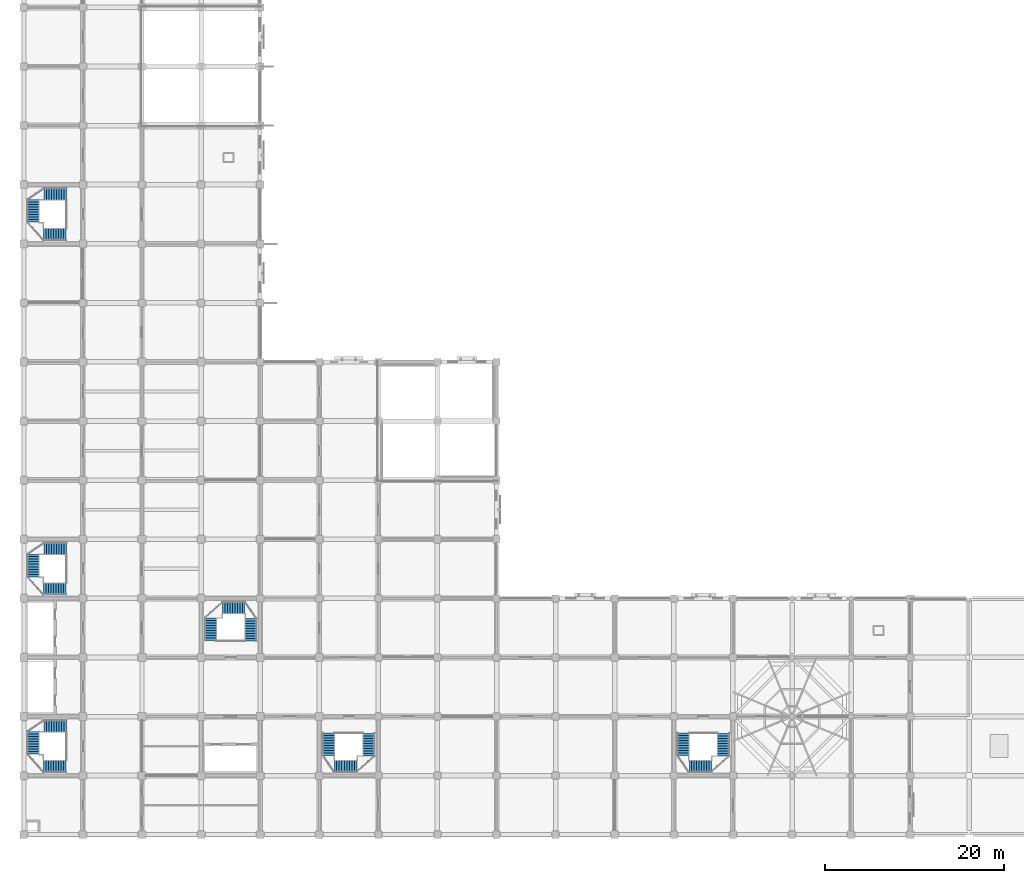
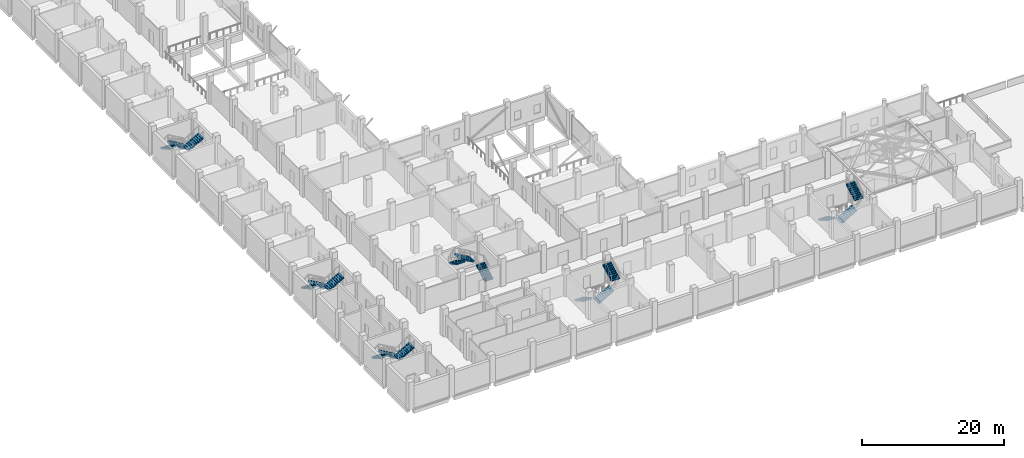
# One storey, part 26 of 34: 18 stair flights, 6 elements without a shape of their own.
"""IFC4 building model written with IfcOpenShell, lengths in metres."""

from ifc_helpers import new_model, si_unit, direction, frame, origin, place, context, subcontext, project, spatial, polyline, outline, extrude, material, type_object, element, aggregate, save


model = new_model("IFC4")

# Units and contexts
model_context = context("Model", 3, precision=1e-05, world=origin(), true_north=direction((0.0, 1.0)))
body_context = subcontext(model_context, "Body", "Model", "MODEL_VIEW")
ifc_project = project(units=[si_unit("LENGTHUNIT", "METRE"), si_unit("AREAUNIT", "SQUARE_METRE"), si_unit("VOLUMEUNIT", "CUBIC_METRE"), si_unit("PLANEANGLEUNIT", "RADIAN"), si_unit("MASSUNIT", "GRAM", prefix="KILO")], contexts=[model_context])

# Site, building, storey
site_placement = place(None, origin())
site = spatial("IfcSite", under=ifc_project, at=site_placement, CompositionType="ELEMENT")
building_placement = place(site_placement, origin())
building = spatial("IfcBuilding", under=site, at=building_placement, Name="Rusizi Kubbe Research Institute", CompositionType="ELEMENT")
storey_placement = place(building_placement, frame((0.0, 0.0, 5.39990234375)))
storey = spatial("IfcBuildingStorey", under=building, at=storey_placement, Name="L01", CompositionType="ELEMENT", Elevation=5.39990234375)

# Stair, stair flights
ifc_material_1 = material(Name="Concrete C40/50", Category="concrete")
stair_type = type_object("IfcStairType", Name="ST-H480", PredefinedType="THREE_QUARTER_TURN_STAIR", material=ifc_material_1)
stair_1_placement = place(storey_placement, origin())
stair_1 = element("IfcStair", 1, at=stair_1_placement, inside=storey, type_object=stair_type, Name="Protected Exit Stair ST1 (L01)", PredefinedType="THREE_QUARTER_TURN_STAIR")
ifc_material_2 = material(Name="Concrete C40/50", Category="concrete")
stair_flight_type = type_object("IfcStairFlightType", Name="FL-H480", PredefinedType="STRAIGHT", material=ifc_material_2)
stair_flight_1_placement = place(storey_placement, frame((4.780029296875, 12.14990234375, 0.0), z_axis=(0.0, 0.0, 1.0), x_axis=(-1.0, 0.0, 0.0)))
stair_flight_1 = element("IfcStairFlight", 2, at=stair_flight_1_placement, type_object=stair_flight_type, Name="ST1 flight 1", NumberOfRisers=10, NumberOfTreads=9, PredefinedType="STRAIGHT", RiserHeight=0.16, TreadLength=0.28, context=body_context, shape_type="SweptSolid", body=[
    extrude(outline(polyline([(0.0, 0.0), (0.0, 0.159912109375), (0.280029296875, 0.159912109375), (0.280029296875, 0.320068359375), (0.56005859375, 0.320068359375), (0.56005859375, 0.47998046875), (0.840087890625, 0.47998046875), (0.840087890625, 0.639892578125), (1.1201171875, 0.639892578125), (1.1201171875, 0.800048828125), (1.39990234375, 0.800048828125), (1.39990234375, 0.9599609375), (1.679931640625, 0.9599609375), (1.679931640625, 1.1201171875), (1.9599609375, 1.1201171875), (1.9599609375, 1.280029296875), (2.239990234375, 1.280029296875), (2.239990234375, 1.43994140625), (2.52001953125, 1.43994140625), (2.52001953125, 1.60009765625), (2.52001953125, 1.255859375), (0.322265625, 0.0), (0.0, 0.0)])), frame((0.0, 0.699951171875, 0.0), z_axis=(0.0, -1.0, 0.0), x_axis=(1.0, 0.0, 0.0)), (0.0, 0.0, 1.0), 1.39990234375),
])
stair_flight_2_placement = place(storey_placement, frame((1.050048828125, 11.530029296875, 1.60009765625), z_axis=(0.0, 0.0, 1.0), x_axis=(0.0, -1.0, 0.0)))
stair_flight_2 = element("IfcStairFlight", 3, at=stair_flight_2_placement, type_object=stair_flight_type, Name="ST1 flight 2", NumberOfRisers=10, NumberOfTreads=9, PredefinedType="STRAIGHT", RiserHeight=0.16, TreadLength=0.28, context=body_context, shape_type="SweptSolid", body=[
    extrude(outline(polyline([(0.0, 0.0), (0.0, 0.159912109375), (0.280029296875, 0.159912109375), (0.280029296875, 0.320068359375), (0.56005859375, 0.320068359375), (0.56005859375, 0.47998046875), (0.840087890625, 0.47998046875), (0.840087890625, 0.639892578125), (1.1201171875, 0.639892578125), (1.1201171875, 0.800048828125), (1.39990234375, 0.800048828125), (1.39990234375, 0.9599609375), (1.679931640625, 0.9599609375), (1.679931640625, 1.1201171875), (1.9599609375, 1.1201171875), (1.9599609375, 1.280029296875), (2.239990234375, 1.280029296875), (2.239990234375, 1.43994140625), (2.52001953125, 1.43994140625), (2.52001953125, 1.60009765625), (2.52001953125, 1.255859375), (0.322265625, 0.0), (0.0, 0.0)])), frame((0.0, 0.699951171875, 0.0), z_axis=(0.0, -1.0, 0.0), x_axis=(1.0, 0.0, 0.0)), (0.0, 0.0, 1.0), 1.39990234375),
])
stair_flight_3_placement = place(storey_placement, frame((2.18603515625, 7.64990234375, 3.2001953125), z_axis=(0.0, 0.0, 1.0), x_axis=(1.0, 0.0, 0.0)))
stair_flight_3 = element("IfcStairFlight", 4, at=stair_flight_3_placement, type_object=stair_flight_type, Name="ST1 flight 3", NumberOfRisers=10, NumberOfTreads=9, PredefinedType="STRAIGHT", RiserHeight=0.16, TreadLength=0.28, context=body_context, shape_type="SweptSolid", body=[
    extrude(outline(polyline([(0.0, 0.0), (0.0, 0.159912109375), (0.280029296875, 0.159912109375), (0.280029296875, 0.320068359375), (0.56005859375, 0.320068359375), (0.56005859375, 0.47998046875), (0.840087890625, 0.47998046875), (0.840087890625, 0.639892578125), (1.1201171875, 0.639892578125), (1.1201171875, 0.800048828125), (1.39990234375, 0.800048828125), (1.39990234375, 0.9599609375), (1.679931640625, 0.9599609375), (1.679931640625, 1.1201171875), (1.9599609375, 1.1201171875), (1.9599609375, 1.280029296875), (2.239990234375, 1.280029296875), (2.239990234375, 1.43994140625), (2.52001953125, 1.43994140625), (2.52001953125, 1.60009765625), (2.52001953125, 1.255859375), (0.322265625, 0.0), (0.0, 0.0)])), frame((0.0, 0.699951171875, 0.0), z_axis=(0.0, -1.0, 0.0), x_axis=(1.0, 0.0, 0.0)), (0.0, 0.0, 1.0), 1.39990234375),
])
aggregate(stair_1, [stair_flight_1, stair_flight_2, stair_flight_3])

stair_2_placement = place(storey_placement, origin())
stair_2 = element("IfcStair", 5, at=stair_2_placement, inside=storey, type_object=stair_type, Name="Protected Exit Stair ST2 (L01)", PredefinedType="THREE_QUARTER_TURN_STAIR")
stair_flight_4_placement = place(storey_placement, frame((4.780029296875, 31.949951171875, 0.0), z_axis=(0.0, 0.0, 1.0), x_axis=(-1.0, 0.0, 0.0)))
stair_flight_4 = element("IfcStairFlight", 6, at=stair_flight_4_placement, type_object=stair_flight_type, Name="ST2 flight 1", NumberOfRisers=10, NumberOfTreads=9, PredefinedType="STRAIGHT", RiserHeight=0.16, TreadLength=0.28, context=body_context, shape_type="SweptSolid", body=[
    extrude(outline(polyline([(0.0, 0.0), (0.0, 0.159912109375), (0.280029296875, 0.159912109375), (0.280029296875, 0.320068359375), (0.56005859375, 0.320068359375), (0.56005859375, 0.47998046875), (0.840087890625, 0.47998046875), (0.840087890625, 0.639892578125), (1.1201171875, 0.639892578125), (1.1201171875, 0.800048828125), (1.39990234375, 0.800048828125), (1.39990234375, 0.9599609375), (1.679931640625, 0.9599609375), (1.679931640625, 1.1201171875), (1.9599609375, 1.1201171875), (1.9599609375, 1.280029296875), (2.239990234375, 1.280029296875), (2.239990234375, 1.43994140625), (2.52001953125, 1.43994140625), (2.52001953125, 1.60009765625), (2.52001953125, 1.255859375), (0.322265625, 0.0), (0.0, 0.0)])), frame((0.0, 0.699951171875, 0.0), z_axis=(0.0, -1.0, 0.0), x_axis=(1.0, 0.0, 0.0)), (0.0, 0.0, 1.0), 1.39990234375),
])
stair_flight_5_placement = place(storey_placement, frame((1.050048828125, 31.330078125, 1.60009765625), z_axis=(0.0, 0.0, 1.0), x_axis=(0.0, -1.0, 0.0)))
stair_flight_5 = element("IfcStairFlight", 7, at=stair_flight_5_placement, type_object=stair_flight_type, Name="ST2 flight 2", NumberOfRisers=10, NumberOfTreads=9, PredefinedType="STRAIGHT", RiserHeight=0.16, TreadLength=0.28, context=body_context, shape_type="SweptSolid", body=[
    extrude(outline(polyline([(0.0, 0.0), (0.0, 0.159912109375), (0.280029296875, 0.159912109375), (0.280029296875, 0.320068359375), (0.56005859375, 0.320068359375), (0.56005859375, 0.47998046875), (0.840087890625, 0.47998046875), (0.840087890625, 0.639892578125), (1.1201171875, 0.639892578125), (1.1201171875, 0.800048828125), (1.39990234375, 0.800048828125), (1.39990234375, 0.9599609375), (1.679931640625, 0.9599609375), (1.679931640625, 1.1201171875), (1.9599609375, 1.1201171875), (1.9599609375, 1.280029296875), (2.239990234375, 1.280029296875), (2.239990234375, 1.43994140625), (2.52001953125, 1.43994140625), (2.52001953125, 1.60009765625), (2.52001953125, 1.255859375), (0.322265625, 0.0), (0.0, 0.0)])), frame((0.0, 0.699951171875, 0.0), z_axis=(0.0, -1.0, 0.0), x_axis=(1.0, 0.0, 0.0)), (0.0, 0.0, 1.0), 1.39990234375),
])
stair_flight_6_placement = place(storey_placement, frame((2.18603515625, 27.449951171875, 3.2001953125), z_axis=(0.0, 0.0, 1.0), x_axis=(1.0, 0.0, 0.0)))
stair_flight_6 = element("IfcStairFlight", 8, at=stair_flight_6_placement, type_object=stair_flight_type, Name="ST2 flight 3", NumberOfRisers=10, NumberOfTreads=9, PredefinedType="STRAIGHT", RiserHeight=0.16, TreadLength=0.28, context=body_context, shape_type="SweptSolid", body=[
    extrude(outline(polyline([(0.0, 0.0), (0.0, 0.159912109375), (0.280029296875, 0.159912109375), (0.280029296875, 0.320068359375), (0.56005859375, 0.320068359375), (0.56005859375, 0.47998046875), (0.840087890625, 0.47998046875), (0.840087890625, 0.639892578125), (1.1201171875, 0.639892578125), (1.1201171875, 0.800048828125), (1.39990234375, 0.800048828125), (1.39990234375, 0.9599609375), (1.679931640625, 0.9599609375), (1.679931640625, 1.1201171875), (1.9599609375, 1.1201171875), (1.9599609375, 1.280029296875), (2.239990234375, 1.280029296875), (2.239990234375, 1.43994140625), (2.52001953125, 1.43994140625), (2.52001953125, 1.60009765625), (2.52001953125, 1.255859375), (0.322265625, 0.0), (0.0, 0.0)])), frame((0.0, 0.699951171875, 0.0), z_axis=(0.0, -1.0, 0.0), x_axis=(1.0, 0.0, 0.0)), (0.0, 0.0, 1.0), 1.39990234375),
])
aggregate(stair_2, [stair_flight_4, stair_flight_5, stair_flight_6])

stair_3_placement = place(storey_placement, origin())
stair_3 = element("IfcStair", 9, at=stair_3_placement, inside=storey, type_object=stair_type, Name="Protected Exit Stair ST3 (L01)", PredefinedType="THREE_QUARTER_TURN_STAIR")
stair_flight_7_placement = place(storey_placement, frame((25.35009765625, 21.6201171875, 0.0), z_axis=(0.0, 0.0, 1.0), x_axis=(0.0, 1.0, 0.0)))
stair_flight_7 = element("IfcStairFlight", 10, at=stair_flight_7_placement, type_object=stair_flight_type, Name="ST3 flight 1", NumberOfRisers=10, NumberOfTreads=9, PredefinedType="STRAIGHT", RiserHeight=0.16, TreadLength=0.28, context=body_context, shape_type="SweptSolid", body=[
    extrude(outline(polyline([(0.0, 0.0), (0.0, 0.159912109375), (0.280029296875, 0.159912109375), (0.280029296875, 0.320068359375), (0.56005859375, 0.320068359375), (0.56005859375, 0.47998046875), (0.840087890625, 0.47998046875), (0.840087890625, 0.639892578125), (1.1201171875, 0.639892578125), (1.1201171875, 0.800048828125), (1.39990234375, 0.800048828125), (1.39990234375, 0.9599609375), (1.679931640625, 0.9599609375), (1.679931640625, 1.1201171875), (1.9599609375, 1.1201171875), (1.9599609375, 1.280029296875), (2.239990234375, 1.280029296875), (2.239990234375, 1.43994140625), (2.52001953125, 1.43994140625), (2.52001953125, 1.60009765625), (2.52001953125, 1.255859375), (0.322265625, 0.0), (0.0, 0.0)])), frame((0.0, 0.699951171875, 0.0), z_axis=(0.0, -1.0, 0.0), x_axis=(1.0, 0.0, 0.0)), (0.0, 0.0, 1.0), 1.39990234375),
])
stair_flight_8_placement = place(storey_placement, frame((24.72998046875, 25.35009765625, 1.60009765625), z_axis=(0.0, 0.0, 1.0), x_axis=(-1.0, 0.0, 0.0)))
stair_flight_8 = element("IfcStairFlight", 11, at=stair_flight_8_placement, type_object=stair_flight_type, Name="ST3 flight 2", NumberOfRisers=10, NumberOfTreads=9, PredefinedType="STRAIGHT", RiserHeight=0.16, TreadLength=0.28, context=body_context, shape_type="SweptSolid", body=[
    extrude(outline(polyline([(0.0, 0.0), (0.0, 0.159912109375), (0.280029296875, 0.159912109375), (0.280029296875, 0.320068359375), (0.56005859375, 0.320068359375), (0.56005859375, 0.47998046875), (0.840087890625, 0.47998046875), (0.840087890625, 0.639892578125), (1.1201171875, 0.639892578125), (1.1201171875, 0.800048828125), (1.39990234375, 0.800048828125), (1.39990234375, 0.9599609375), (1.679931640625, 0.9599609375), (1.679931640625, 1.1201171875), (1.9599609375, 1.1201171875), (1.9599609375, 1.280029296875), (2.239990234375, 1.280029296875), (2.239990234375, 1.43994140625), (2.52001953125, 1.43994140625), (2.52001953125, 1.60009765625), (2.52001953125, 1.255859375), (0.322265625, 0.0), (0.0, 0.0)])), frame((0.0, 0.699951171875, 0.0), z_axis=(0.0, -1.0, 0.0), x_axis=(1.0, 0.0, 0.0)), (0.0, 0.0, 1.0), 1.39990234375),
])
stair_flight_9_placement = place(storey_placement, frame((20.85009765625, 24.214111328125, 3.2001953125), z_axis=(0.0, 0.0, 1.0), x_axis=(0.0, -1.0, 0.0)))
stair_flight_9 = element("IfcStairFlight", 12, at=stair_flight_9_placement, type_object=stair_flight_type, Name="ST3 flight 3", NumberOfRisers=10, NumberOfTreads=9, PredefinedType="STRAIGHT", RiserHeight=0.16, TreadLength=0.28, context=body_context, shape_type="SweptSolid", body=[
    extrude(outline(polyline([(0.0, 0.0), (0.0, 0.159912109375), (0.280029296875, 0.159912109375), (0.280029296875, 0.320068359375), (0.56005859375, 0.320068359375), (0.56005859375, 0.47998046875), (0.840087890625, 0.47998046875), (0.840087890625, 0.639892578125), (1.1201171875, 0.639892578125), (1.1201171875, 0.800048828125), (1.39990234375, 0.800048828125), (1.39990234375, 0.9599609375), (1.679931640625, 0.9599609375), (1.679931640625, 1.1201171875), (1.9599609375, 1.1201171875), (1.9599609375, 1.280029296875), (2.239990234375, 1.280029296875), (2.239990234375, 1.43994140625), (2.52001953125, 1.43994140625), (2.52001953125, 1.60009765625), (2.52001953125, 1.255859375), (0.322265625, 0.0), (0.0, 0.0)])), frame((0.0, 0.699951171875, 0.0), z_axis=(0.0, -1.0, 0.0), x_axis=(1.0, 0.0, 0.0)), (0.0, 0.0, 1.0), 1.39990234375),
])
aggregate(stair_3, [stair_flight_7, stair_flight_8, stair_flight_9])

stair_4_placement = place(storey_placement, origin())
stair_4 = element("IfcStair", 13, at=stair_4_placement, inside=storey, type_object=stair_type, Name="Protected Exit Stair ST4 (L01)", PredefinedType="THREE_QUARTER_TURN_STAIR")
stair_flight_10_placement = place(storey_placement, frame((34.050048828125, 11.3798828125, 0.0), z_axis=(0.0, 0.0, 1.0), x_axis=(0.0, -1.0, 0.0)))
stair_flight_10 = element("IfcStairFlight", 14, at=stair_flight_10_placement, type_object=stair_flight_type, Name="ST4 flight 1", NumberOfRisers=10, NumberOfTreads=9, PredefinedType="STRAIGHT", RiserHeight=0.16, TreadLength=0.28, context=body_context, shape_type="SweptSolid", body=[
    extrude(outline(polyline([(0.0, 0.0), (0.0, 0.159912109375), (0.280029296875, 0.159912109375), (0.280029296875, 0.320068359375), (0.56005859375, 0.320068359375), (0.56005859375, 0.47998046875), (0.840087890625, 0.47998046875), (0.840087890625, 0.639892578125), (1.1201171875, 0.639892578125), (1.1201171875, 0.800048828125), (1.39990234375, 0.800048828125), (1.39990234375, 0.9599609375), (1.679931640625, 0.9599609375), (1.679931640625, 1.1201171875), (1.9599609375, 1.1201171875), (1.9599609375, 1.280029296875), (2.239990234375, 1.280029296875), (2.239990234375, 1.43994140625), (2.52001953125, 1.43994140625), (2.52001953125, 1.60009765625), (2.52001953125, 1.255859375), (0.322265625, 0.0), (0.0, 0.0)])), frame((0.0, 0.699951171875, 0.0), z_axis=(0.0, -1.0, 0.0), x_axis=(1.0, 0.0, 0.0)), (0.0, 0.0, 1.0), 1.39990234375),
])
stair_flight_11_placement = place(storey_placement, frame((34.669921875, 7.64990234375, 1.60009765625), z_axis=(0.0, 0.0, 1.0), x_axis=(1.0, 0.0, 0.0)))
stair_flight_11 = element("IfcStairFlight", 15, at=stair_flight_11_placement, type_object=stair_flight_type, Name="ST4 flight 2", NumberOfRisers=10, NumberOfTreads=9, PredefinedType="STRAIGHT", RiserHeight=0.16, TreadLength=0.28, context=body_context, shape_type="SweptSolid", body=[
    extrude(outline(polyline([(0.0, 0.0), (0.0, 0.159912109375), (0.280029296875, 0.159912109375), (0.280029296875, 0.320068359375), (0.56005859375, 0.320068359375), (0.56005859375, 0.47998046875), (0.840087890625, 0.47998046875), (0.840087890625, 0.639892578125), (1.1201171875, 0.639892578125), (1.1201171875, 0.800048828125), (1.39990234375, 0.800048828125), (1.39990234375, 0.9599609375), (1.679931640625, 0.9599609375), (1.679931640625, 1.1201171875), (1.9599609375, 1.1201171875), (1.9599609375, 1.280029296875), (2.239990234375, 1.280029296875), (2.239990234375, 1.43994140625), (2.52001953125, 1.43994140625), (2.52001953125, 1.60009765625), (2.52001953125, 1.255859375), (0.322265625, 0.0), (0.0, 0.0)])), frame((0.0, 0.699951171875, 0.0), z_axis=(0.0, -1.0, 0.0), x_axis=(1.0, 0.0, 0.0)), (0.0, 0.0, 1.0), 1.39990234375),
])
stair_flight_12_placement = place(storey_placement, frame((38.550048828125, 8.785888671875, 3.2001953125), z_axis=(0.0, 0.0, 1.0), x_axis=(0.0, 1.0, 0.0)))
stair_flight_12 = element("IfcStairFlight", 16, at=stair_flight_12_placement, type_object=stair_flight_type, Name="ST4 flight 3", NumberOfRisers=10, NumberOfTreads=9, PredefinedType="STRAIGHT", RiserHeight=0.16, TreadLength=0.28, context=body_context, shape_type="SweptSolid", body=[
    extrude(outline(polyline([(0.0, 0.0), (0.0, 0.159912109375), (0.280029296875, 0.159912109375), (0.280029296875, 0.320068359375), (0.56005859375, 0.320068359375), (0.56005859375, 0.47998046875), (0.840087890625, 0.47998046875), (0.840087890625, 0.639892578125), (1.1201171875, 0.639892578125), (1.1201171875, 0.800048828125), (1.39990234375, 0.800048828125), (1.39990234375, 0.9599609375), (1.679931640625, 0.9599609375), (1.679931640625, 1.1201171875), (1.9599609375, 1.1201171875), (1.9599609375, 1.280029296875), (2.239990234375, 1.280029296875), (2.239990234375, 1.43994140625), (2.52001953125, 1.43994140625), (2.52001953125, 1.60009765625), (2.52001953125, 1.255859375), (0.322265625, 0.0), (0.0, 0.0)])), frame((0.0, 0.699951171875, 0.0), z_axis=(0.0, -1.0, 0.0), x_axis=(1.0, 0.0, 0.0)), (0.0, 0.0, 1.0), 1.39990234375),
])
aggregate(stair_4, [stair_flight_10, stair_flight_11, stair_flight_12])

stair_5_placement = place(storey_placement, origin())
stair_5 = element("IfcStair", 17, at=stair_5_placement, inside=storey, type_object=stair_type, Name="Protected Exit Stair ST5 (L01)", PredefinedType="THREE_QUARTER_TURN_STAIR")
stair_flight_13_placement = place(storey_placement, frame((4.780029296875, 71.550048828125, 0.0), z_axis=(0.0, 0.0, 1.0), x_axis=(-1.0, 0.0, 0.0)))
stair_flight_13 = element("IfcStairFlight", 18, at=stair_flight_13_placement, type_object=stair_flight_type, Name="ST5 flight 1", NumberOfRisers=10, NumberOfTreads=9, PredefinedType="STRAIGHT", RiserHeight=0.16, TreadLength=0.28, context=body_context, shape_type="SweptSolid", body=[
    extrude(outline(polyline([(0.0, 0.0), (0.0, 0.159912109375), (0.280029296875, 0.159912109375), (0.280029296875, 0.320068359375), (0.56005859375, 0.320068359375), (0.56005859375, 0.47998046875), (0.840087890625, 0.47998046875), (0.840087890625, 0.639892578125), (1.1201171875, 0.639892578125), (1.1201171875, 0.800048828125), (1.39990234375, 0.800048828125), (1.39990234375, 0.9599609375), (1.679931640625, 0.9599609375), (1.679931640625, 1.1201171875), (1.9599609375, 1.1201171875), (1.9599609375, 1.280029296875), (2.239990234375, 1.280029296875), (2.239990234375, 1.43994140625), (2.52001953125, 1.43994140625), (2.52001953125, 1.60009765625), (2.52001953125, 1.255859375), (0.322265625, 0.0), (0.0, 0.0)])), frame((0.0, 0.699951171875, 0.0), z_axis=(0.0, -1.0, 0.0), x_axis=(1.0, 0.0, 0.0)), (0.0, 0.0, 1.0), 1.39990234375),
])
stair_flight_14_placement = place(storey_placement, frame((1.050048828125, 70.929931640625, 1.60009765625), z_axis=(0.0, 0.0, 1.0), x_axis=(0.0, -1.0, 0.0)))
stair_flight_14 = element("IfcStairFlight", 19, at=stair_flight_14_placement, type_object=stair_flight_type, Name="ST5 flight 2", NumberOfRisers=10, NumberOfTreads=9, PredefinedType="STRAIGHT", RiserHeight=0.16, TreadLength=0.28, context=body_context, shape_type="SweptSolid", body=[
    extrude(outline(polyline([(0.0, 0.0), (0.0, 0.159912109375), (0.280029296875, 0.159912109375), (0.280029296875, 0.320068359375), (0.56005859375, 0.320068359375), (0.56005859375, 0.47998046875), (0.840087890625, 0.47998046875), (0.840087890625, 0.639892578125), (1.1201171875, 0.639892578125), (1.1201171875, 0.800048828125), (1.39990234375, 0.800048828125), (1.39990234375, 0.9599609375), (1.679931640625, 0.9599609375), (1.679931640625, 1.1201171875), (1.9599609375, 1.1201171875), (1.9599609375, 1.280029296875), (2.239990234375, 1.280029296875), (2.239990234375, 1.43994140625), (2.52001953125, 1.43994140625), (2.52001953125, 1.60009765625), (2.52001953125, 1.255859375), (0.322265625, 0.0), (0.0, 0.0)])), frame((0.0, 0.699951171875, 0.0), z_axis=(0.0, -1.0, 0.0), x_axis=(1.0, 0.0, 0.0)), (0.0, 0.0, 1.0), 1.39990234375),
])
stair_flight_15_placement = place(storey_placement, frame((2.18603515625, 67.050048828125, 3.2001953125), z_axis=(0.0, 0.0, 1.0), x_axis=(1.0, 0.0, 0.0)))
stair_flight_15 = element("IfcStairFlight", 20, at=stair_flight_15_placement, type_object=stair_flight_type, Name="ST5 flight 3", NumberOfRisers=10, NumberOfTreads=9, PredefinedType="STRAIGHT", RiserHeight=0.16, TreadLength=0.28, context=body_context, shape_type="SweptSolid", body=[
    extrude(outline(polyline([(0.0, 0.0), (0.0, 0.159912109375), (0.280029296875, 0.159912109375), (0.280029296875, 0.320068359375), (0.56005859375, 0.320068359375), (0.56005859375, 0.47998046875), (0.840087890625, 0.47998046875), (0.840087890625, 0.639892578125), (1.1201171875, 0.639892578125), (1.1201171875, 0.800048828125), (1.39990234375, 0.800048828125), (1.39990234375, 0.9599609375), (1.679931640625, 0.9599609375), (1.679931640625, 1.1201171875), (1.9599609375, 1.1201171875), (1.9599609375, 1.280029296875), (2.239990234375, 1.280029296875), (2.239990234375, 1.43994140625), (2.52001953125, 1.43994140625), (2.52001953125, 1.60009765625), (2.52001953125, 1.255859375), (0.322265625, 0.0), (0.0, 0.0)])), frame((0.0, 0.699951171875, 0.0), z_axis=(0.0, -1.0, 0.0), x_axis=(1.0, 0.0, 0.0)), (0.0, 0.0, 1.0), 1.39990234375),
])
aggregate(stair_5, [stair_flight_13, stair_flight_14, stair_flight_15])

stair_6_placement = place(storey_placement, origin())
stair_6 = element("IfcStair", 21, at=stair_6_placement, inside=storey, type_object=stair_type, Name="Protected Exit Stair ST7 (L01)", PredefinedType="THREE_QUARTER_TURN_STAIR")
stair_flight_16_placement = place(storey_placement, frame((73.64990234375, 11.3798828125, 0.0), z_axis=(0.0, 0.0, 1.0), x_axis=(0.0, -1.0, 0.0)))
stair_flight_16 = element("IfcStairFlight", 22, at=stair_flight_16_placement, type_object=stair_flight_type, Name="ST7 flight 1", NumberOfRisers=10, NumberOfTreads=9, PredefinedType="STRAIGHT", RiserHeight=0.16, TreadLength=0.28, context=body_context, shape_type="SweptSolid", body=[
    extrude(outline(polyline([(0.0, 0.0), (0.0, 0.159912109375), (0.280029296875, 0.159912109375), (0.280029296875, 0.320068359375), (0.56005859375, 0.320068359375), (0.56005859375, 0.47998046875), (0.840087890625, 0.47998046875), (0.840087890625, 0.639892578125), (1.1201171875, 0.639892578125), (1.1201171875, 0.800048828125), (1.39990234375, 0.800048828125), (1.39990234375, 0.9599609375), (1.679931640625, 0.9599609375), (1.679931640625, 1.1201171875), (1.9599609375, 1.1201171875), (1.9599609375, 1.280029296875), (2.239990234375, 1.280029296875), (2.239990234375, 1.43994140625), (2.52001953125, 1.43994140625), (2.52001953125, 1.60009765625), (2.52001953125, 1.255859375), (0.322265625, 0.0), (0.0, 0.0)])), frame((0.0, 0.699951171875, 0.0), z_axis=(0.0, -1.0, 0.0), x_axis=(1.0, 0.0, 0.0)), (0.0, 0.0, 1.0), 1.39990234375),
])
stair_flight_17_placement = place(storey_placement, frame((74.27001953125, 7.64990234375, 1.60009765625), z_axis=(0.0, 0.0, 1.0), x_axis=(1.0, 0.0, 0.0)))
stair_flight_17 = element("IfcStairFlight", 23, at=stair_flight_17_placement, type_object=stair_flight_type, Name="ST7 flight 2", NumberOfRisers=10, NumberOfTreads=9, PredefinedType="STRAIGHT", RiserHeight=0.16, TreadLength=0.28, context=body_context, shape_type="SweptSolid", body=[
    extrude(outline(polyline([(0.0, 0.0), (0.0, 0.159912109375), (0.280029296875, 0.159912109375), (0.280029296875, 0.320068359375), (0.56005859375, 0.320068359375), (0.56005859375, 0.47998046875), (0.840087890625, 0.47998046875), (0.840087890625, 0.639892578125), (1.1201171875, 0.639892578125), (1.1201171875, 0.800048828125), (1.39990234375, 0.800048828125), (1.39990234375, 0.9599609375), (1.679931640625, 0.9599609375), (1.679931640625, 1.1201171875), (1.9599609375, 1.1201171875), (1.9599609375, 1.280029296875), (2.239990234375, 1.280029296875), (2.239990234375, 1.43994140625), (2.52001953125, 1.43994140625), (2.52001953125, 1.60009765625), (2.52001953125, 1.255859375), (0.322265625, 0.0), (0.0, 0.0)])), frame((0.0, 0.699951171875, 0.0), z_axis=(0.0, -1.0, 0.0), x_axis=(1.0, 0.0, 0.0)), (0.0, 0.0, 1.0), 1.39990234375),
])
stair_flight_18_placement = place(storey_placement, frame((78.14990234375, 8.785888671875, 3.2001953125), z_axis=(0.0, 0.0, 1.0), x_axis=(0.0, 1.0, 0.0)))
stair_flight_18 = element("IfcStairFlight", 24, at=stair_flight_18_placement, type_object=stair_flight_type, Name="ST7 flight 3", NumberOfRisers=10, NumberOfTreads=9, PredefinedType="STRAIGHT", RiserHeight=0.16, TreadLength=0.28, context=body_context, shape_type="SweptSolid", body=[
    extrude(outline(polyline([(0.0, 0.0), (0.0, 0.159912109375), (0.280029296875, 0.159912109375), (0.280029296875, 0.320068359375), (0.56005859375, 0.320068359375), (0.56005859375, 0.47998046875), (0.840087890625, 0.47998046875), (0.840087890625, 0.639892578125), (1.1201171875, 0.639892578125), (1.1201171875, 0.800048828125), (1.39990234375, 0.800048828125), (1.39990234375, 0.9599609375), (1.679931640625, 0.9599609375), (1.679931640625, 1.1201171875), (1.9599609375, 1.1201171875), (1.9599609375, 1.280029296875), (2.239990234375, 1.280029296875), (2.239990234375, 1.43994140625), (2.52001953125, 1.43994140625), (2.52001953125, 1.60009765625), (2.52001953125, 1.255859375), (0.322265625, 0.0), (0.0, 0.0)])), frame((0.0, 0.699951171875, 0.0), z_axis=(0.0, -1.0, 0.0), x_axis=(1.0, 0.0, 0.0)), (0.0, 0.0, 1.0), 1.39990234375),
])
aggregate(stair_6, [stair_flight_16, stair_flight_17, stair_flight_18])

save(model, "model.ifc")
